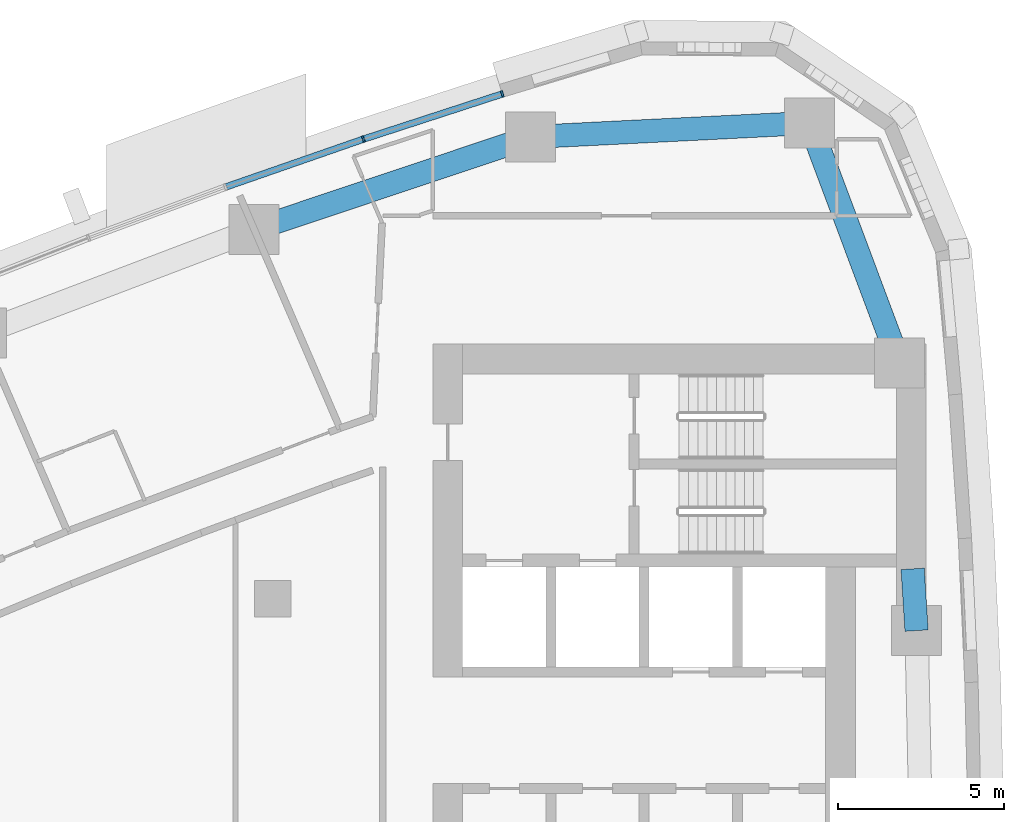
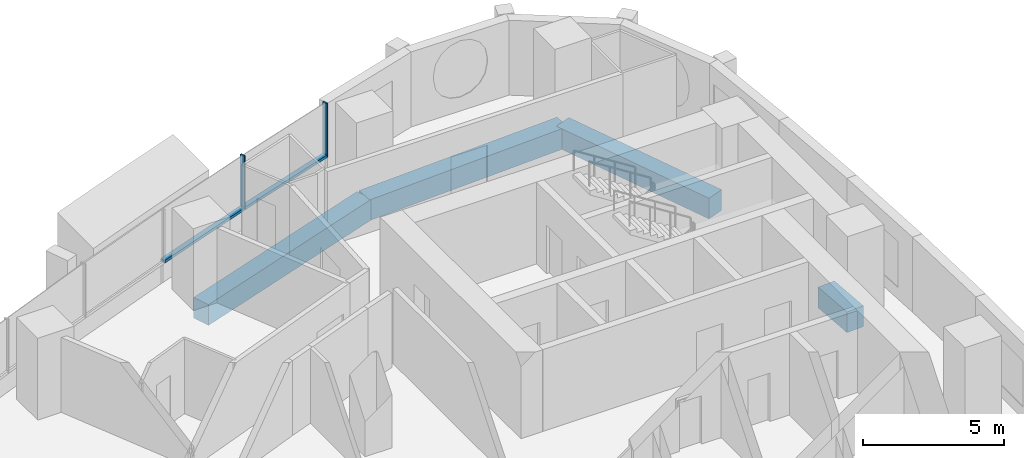
# One storey, part 6 of 17: 4 beams, 4 members, 1 element without a shape of its own.
"""IFC4 building model written with IfcOpenShell, lengths in metres."""

from ifc_helpers import new_model, si_unit, direction, frame, origin, origin_2d, place, context, subcontext, project, spatial, rectangle, extrude, material, layer, layer_set, material_profile, profile_set, type_object, element, aggregate, save


model = new_model("IFC4")

# Units and contexts
model_context = context("Model", 3, precision=1e-05, world=origin(), true_north=direction((0.0, 1.0)))
body_context = subcontext(model_context, "Body", "Model", "MODEL_VIEW")
ifc_project = project(units=[si_unit("LENGTHUNIT", "METRE"), si_unit("AREAUNIT", "SQUARE_METRE"), si_unit("VOLUMEUNIT", "CUBIC_METRE"), si_unit("PLANEANGLEUNIT", "RADIAN"), si_unit("MASSUNIT", "GRAM", prefix="KILO")], contexts=[model_context])

# Site, building, storey
site_placement = place(None, origin())
site = spatial("IfcSite", under=ifc_project, at=site_placement, CompositionType="ELEMENT")
building_placement = place(site_placement, origin())
building = spatial("IfcBuilding", under=site, at=building_placement, Name="Ostrand Prow Hotel Tower", CompositionType="ELEMENT")
storey_placement = place(building_placement, frame((0.0, 0.0, 155.050048828125)))
storey = spatial("IfcBuildingStorey", under=building, at=storey_placement, Name="L38", CompositionType="ELEMENT", Elevation=155.050048828125)

# Beams
ifc_material_1 = material(Name="Concrete C70/85", Category="concrete")
ifc_material_profile_1 = material_profile(ifc_material_1, rectangle(XDim=0.699951171875, YDim=0.89990234375, at=origin_2d()), Name="RC 700x900")
ifc_profile_set_1 = profile_set([ifc_material_profile_1], Name="Concrete C70/85")
beam_type = type_object("IfcBeamType", Name="Edge beam 700x900 C70/85", PredefinedType="SPANDREL", material=ifc_profile_set_1)
beam_1_placement = place(storey_placement, frame((64.32958984375, 8.044677734375, -0.75), z_axis=(-0.063563790544, 0.997977777574, 0.0), x_axis=(-0.997977777574, -0.063563790544, 0.0)))
element("IfcBeam", 1, at=beam_1_placement, inside=storey, type_object=beam_type, Name="Edge beam B4-B5", PredefinedType="SPANDREL", context=body_context, shape_type="SweptSolid", body=[
    extrude(rectangle(XDim=0.699951171875, YDim=0.89990234375, at=origin_2d()), origin(), (0.0, 0.0, 1.0), 1.85888671875),
])
beam_2_placement = place(storey_placement, frame((63.584716796875, 16.699951171875, -0.75), z_axis=(-0.350602524344, 0.93652435629, 0.0), x_axis=(-0.93652435629, -0.350602524344, 0.0)))
element("IfcBeam", 2, at=beam_2_placement, inside=storey, type_object=beam_type, Name="Edge beam B5-NE", PredefinedType="SPANDREL", context=body_context, shape_type="SweptSolid", body=[
    extrude(rectangle(XDim=0.699951171875, YDim=0.89990234375, at=origin_2d()), origin(), (0.0, 0.0, 1.0), 7.037353515625),
])
beam_3_placement = place(storey_placement, frame((61.117431640625, 23.29052734375, -0.75), z_axis=(-0.99873741544, -0.050235196825, 0.0), x_axis=(0.050235196825, -0.99873741544, 0.0)))
element("IfcBeam", 3, at=beam_3_placement, inside=storey, type_object=beam_type, Name="Edge beam NE-N1", PredefinedType="SPANDREL", context=body_context, shape_type="SweptSolid", body=[
    extrude(rectangle(XDim=0.699951171875, YDim=0.89990234375, at=origin_2d()), origin(), (0.0, 0.0, 1.0), 8.38818359375),
])
beam_4_placement = place(storey_placement, frame((52.73974609375, 22.869140625, -0.75), z_axis=(-0.948376051094, -0.317148018616, 0.0), x_axis=(0.317148018616, -0.948376051094, 0.0)))
element("IfcBeam", 4, at=beam_4_placement, inside=storey, type_object=beam_type, Name="Edge beam N1-N2", PredefinedType="SPANDREL", context=body_context, shape_type="SweptSolid", body=[
    extrude(rectangle(XDim=0.699951171875, YDim=0.89990234375, at=origin_2d()), origin(), (0.0, 0.0, 1.0), 8.75341796875),
])

# Curtain wall, members
ifc_material_2 = material(Name="Insulated glass in bronze anodised frame", Category="glass")
ifc_layer = layer(ifc_material_2, 0.199951171875)
ifc_layer_set = layer_set([ifc_layer], Name="Insulated glass in bronze anodised frame")
curtain_wall_type = type_object("IfcCurtainWallType", Name="Strip curtain wall, fritted glass over bronze spandrel", PredefinedType="NOTDEFINED", material=ifc_layer_set)
curtain_wall_placement = place(storey_placement, origin())
curtain_wall = element("IfcCurtainWall", 5, at=curtain_wall_placement, inside=storey, type_object=curtain_wall_type, Name="CW1 run CWN1", PredefinedType="NOTDEFINED")
ifc_material_3 = material(Name="Bronze anodised aluminium", Category="aluminium")
ifc_material_profile_2 = material_profile(ifc_material_3, rectangle(XDim=0.199951171875, YDim=0.06005859375, at=origin_2d()), Name="Mullion 60x200 bronze anodised aluminium")
ifc_profile_set_2 = profile_set([ifc_material_profile_2], Name="Bronze anodised aluminium")
member_type_1 = type_object("IfcMemberType", Name="Mullion 60x200 bronze anodised aluminium", PredefinedType="MULLION", material=ifc_profile_set_2)
member_1_placement = place(storey_placement, frame((51.888916015625, 24.16162109375, 0.89990234375), z_axis=(0.0, 0.0, 1.0), x_axis=(0.309380491373, -0.950938332153, 0.0)))
member_1 = element("IfcMember", 6, at=member_1_placement, type_object=member_type_1, Name="CW1 mullion 1", PredefinedType="MULLION", context=body_context, shape_type="SweptSolid", body=[
    extrude(rectangle(XDim=0.199951171875, YDim=0.06005859375, at=origin_2d()), origin(), (0.0, 0.0, 1.0), 2.35009765625),
])
member_2_placement = place(storey_placement, frame((47.718017578125, 22.8046875, 0.89990234375), z_axis=(0.0, 0.0, 1.0), x_axis=(0.328428177424, -0.944528947293, 0.0)))
member_2 = element("IfcMember", 7, at=member_2_placement, type_object=member_type_1, Name="CW1 mullion 2", PredefinedType="MULLION", context=body_context, shape_type="SweptSolid", body=[
    extrude(rectangle(XDim=0.199951171875, YDim=0.06005859375, at=origin_2d()), origin(), (0.0, 0.0, 1.0), 2.35009765625),
])
ifc_material_4 = material(Name="Bronze anodised aluminium", Category="aluminium")
ifc_material_profile_3 = material_profile(ifc_material_4, rectangle(XDim=0.199951171875, YDim=0.1201171875, at=origin_2d()), Name="Transom 120x200 bronze anodised aluminium")
ifc_profile_set_3 = profile_set([ifc_material_profile_3], Name="Bronze anodised aluminium")
member_type_2 = type_object("IfcMemberType", Name="Transom 120x200 bronze anodised aluminium", PredefinedType="USERDEFINED", material=ifc_profile_set_3)
member_3_placement = place(storey_placement, frame((51.8603515625, 24.15234375, 0.9599609375), z_axis=(-0.950938634958, -0.309379560643, 0.0), x_axis=(0.309379560643, -0.950938634958, 0.0)))
member_3 = element("IfcMember", 8, at=member_3_placement, type_object=member_type_2, Name="CW1 transom 1.1", ObjectType="TRANSOM", PredefinedType="USERDEFINED", context=body_context, shape_type="SweptSolid", body=[
    extrude(rectangle(XDim=0.199951171875, YDim=0.1201171875, at=origin_2d()), origin(), (0.0, 0.0, 1.0), 4.325927734375),
])
member_4_placement = place(storey_placement, frame((47.689697265625, 22.794921875, 0.9599609375), z_axis=(-0.944524201162, -0.328441826538, 0.0), x_axis=(0.328441826538, -0.944524201162, 0.0)))
member_4 = element("IfcMember", 9, at=member_4_placement, type_object=member_type_2, Name="CW1 transom 2.1", ObjectType="TRANSOM", PredefinedType="USERDEFINED", context=body_context, shape_type="SweptSolid", body=[
    extrude(rectangle(XDim=0.199951171875, YDim=0.1201171875, at=origin_2d()), origin(), (0.0, 0.0, 1.0), 4.326171875),
])
aggregate(curtain_wall, [member_1, member_2, member_3, member_4])

save(model, "model.ifc")
